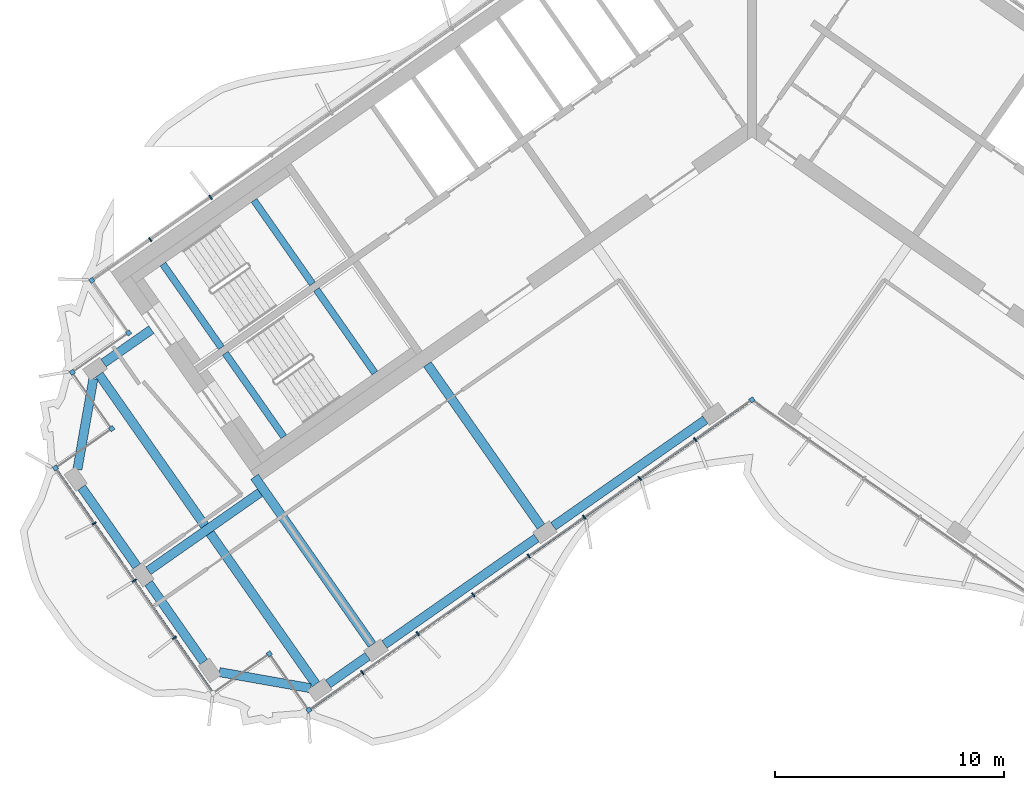
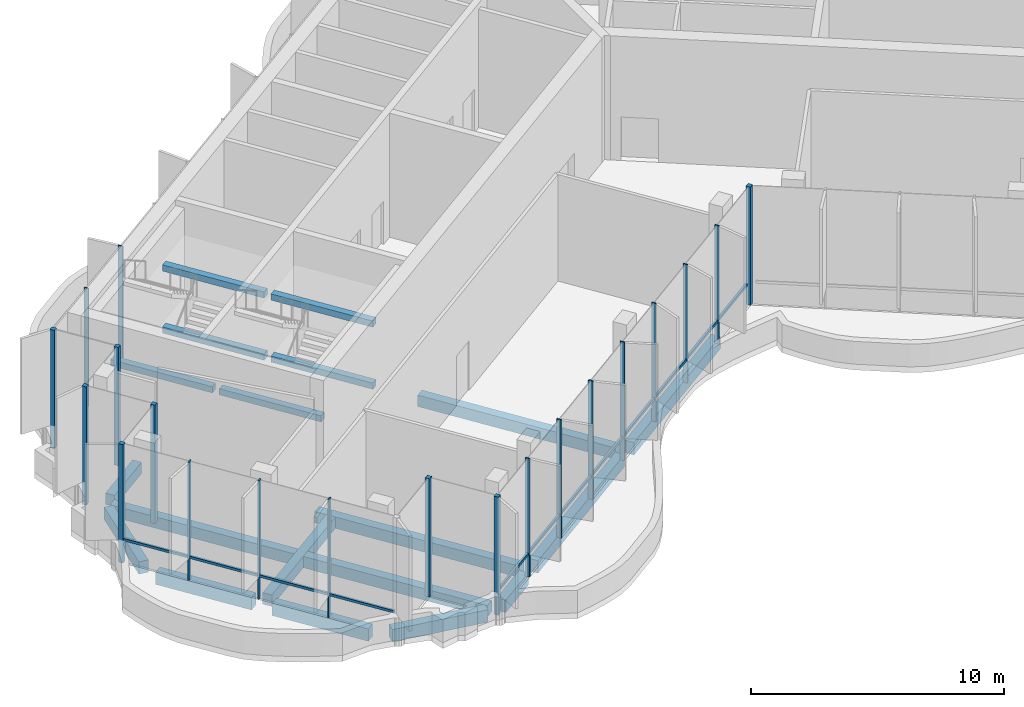
# One storey, part 2 of 18: 22 members, 18 beams, 2 elements without a shape of their own.
"""IFC4 building model written with IfcOpenShell, lengths in metres."""

import ifcopenshell
import ifcopenshell.guid

model = None  # the IFC model being written
_history = None  # IfcOwnerHistory: only IFC2X3 demands one
_inside = {}  # id of a spatial element -> (the spatial element, [elements in it])
_under = {}  # id of a project, library or spatial element -> (it, [spatial elements below it])
_declared = {}  # id of a project -> (the project, [libraries it declares])
_typed = {}  # id of a type object -> (the type object, [elements of that type])
_made_of = {}  # id of a material, layer set ... -> (it, [elements and type objects made of it])


def new_model(schema):
    """Start an empty IFC model of exactly this schema.

    Asked for "IFC4X3", IfcOpenShell would pick the latest addendum, in which some entities
    have other attributes; the version numbers below select the first issue.
    IFC2X3 requires an IfcOwnerHistory on every rooted entity: one is made here for all.
    """
    global model, _history
    if schema == "IFC4X3":
        model = ifcopenshell.file(schema_version=(4, 3, 0, 0))
    else:
        model = ifcopenshell.file(schema=schema)
    _inside.clear()
    _under.clear()
    _declared.clear()
    _typed.clear()
    _made_of.clear()
    _history = None
    if model.schema == "IFC2X3":
        org = make("IfcOrganization", Name="unknown")
        user = make(
            "IfcPersonAndOrganization",
            ThePerson=make("IfcPerson", FamilyName="unknown"),
            TheOrganization=org,
        )
        app = make(
            "IfcApplication",
            ApplicationDeveloper=org,
            Version="unknown",
            ApplicationFullName="unknown",
            ApplicationIdentifier="unknown",
        )
        _history = make(
            "IfcOwnerHistory",
            OwningUser=user,
            OwningApplication=app,
            ChangeAction="ADDED",
            CreationDate=0,
        )
    return model


def make(cls, **values):
    """One entity of the class cls with the attributes given. An attribute that is None is left unset."""
    return model.create_entity(
        cls, **{name: value for name, value in values.items() if value is not None}
    )


def rooted(cls, **values):
    """An entity with a GlobalId (a new one), such as an element, a storey or a relation."""
    return make(cls, GlobalId=ifcopenshell.guid.new(), OwnerHistory=_history, **values)


def si_unit(unit_type, name, prefix=None):
    """IfcSIUnit, for example si_unit("LENGTHUNIT", "METRE", prefix="MILLI")."""
    return make("IfcSIUnit", UnitType=unit_type, Prefix=prefix, Name=name)


def assignment(units):
    """IfcUnitAssignment: the units of a project."""
    return None if units is None else make("IfcUnitAssignment", Units=units)


def point(xyz):
    """IfcCartesianPoint."""
    return None if xyz is None else make("IfcCartesianPoint", Coordinates=xyz)


def direction(xyz):
    """IfcDirection."""
    return None if xyz is None else make("IfcDirection", DirectionRatios=xyz)


def frame(location, z_axis=None, x_axis=None):
    """IfcAxis2Placement3D, a coordinate frame: its origin and axes. An axis left out is left unset."""
    return make(
        "IfcAxis2Placement3D",
        Location=point(location),
        Axis=direction(z_axis),
        RefDirection=direction(x_axis),
    )


def frame_2d(location, x_axis=None):
    """IfcAxis2Placement2D, a coordinate frame in the plane: its origin and x axis."""
    return make(
        "IfcAxis2Placement2D", Location=point(location), RefDirection=direction(x_axis)
    )


def origin():
    """The frame at (0, 0, 0) with its axes left unset."""
    return frame((0.0, 0.0, 0.0))


def origin_2d():
    """The frame at (0, 0) in the plane with its x axis left unset."""
    return frame_2d((0.0, 0.0))


def place(relative_to, where):
    """IfcLocalPlacement: puts the frame where relative to a parent placement (None: the world)."""
    return make(
        "IfcLocalPlacement", PlacementRelTo=relative_to, RelativePlacement=where
    )


def context(
    kind, dimensions, precision=None, world=None, true_north=None, identifier=None
):
    """IfcGeometricRepresentationContext, for example the 3D "Model" context."""
    return make(
        "IfcGeometricRepresentationContext",
        ContextIdentifier=identifier,
        ContextType=kind,
        CoordinateSpaceDimension=dimensions,
        Precision=precision,
        WorldCoordinateSystem=world,
        TrueNorth=true_north,
    )


def subcontext(parent, identifier, kind, view, scale=None):
    """IfcGeometricRepresentationSubContext, for example "Body" below "Model"."""
    return make(
        "IfcGeometricRepresentationSubContext",
        ContextIdentifier=identifier,
        ContextType=kind,
        ParentContext=parent,
        TargetScale=scale,
        TargetView=view,
    )


def project(units=None, contexts=None):
    """IfcProject with its units and contexts."""
    return rooted(
        "IfcProject",
        Name="project",
        RepresentationContexts=contexts,
        UnitsInContext=assignment(units),
    )


def spatial(cls, under=None, at=None, **own):
    """A site, building, storey or space (cls), placed at a placement, below another one or the project."""
    s = rooted(cls, ObjectPlacement=at, **own)
    if under is not None:
        _under.setdefault(under.id(), (under, []))[1].append(s)
    return s


def profile(cls, at=None, kind="AREA", **sizes):
    """A parametric profile (cls). Its sizes go by their IFC names, for example OverallWidth=200.0."""
    return make(cls, ProfileType=kind, Position=at, **sizes)


def rectangle(**sizes):
    """IfcRectangleProfileDef."""
    return profile("IfcRectangleProfileDef", **sizes)


def extrude(swept, where, along, depth):
    """IfcExtrudedAreaSolid: the profile swept, set in the frame where, extruded along a direction by depth."""
    return make(
        "IfcExtrudedAreaSolid",
        SweptArea=swept,
        Position=where,
        ExtrudedDirection=direction(along),
        Depth=depth,
    )


def shape(context_of_items, identifier, shape_type, items):
    """IfcShapeRepresentation: the items that make up one representation, for example the "Body"."""
    return make(
        "IfcShapeRepresentation",
        ContextOfItems=context_of_items,
        RepresentationIdentifier=identifier,
        RepresentationType=shape_type,
        Items=items,
    )


def material(Name=None, Category=None):
    """IfcMaterial."""
    return make("IfcMaterial", Name=Name, Category=Category)


def material_profile(
    of_material, cross_section, Name=None, Category=None, Priority=None
):
    """IfcMaterialProfile: a cross section and its material."""
    return make(
        "IfcMaterialProfile",
        Name=Name,
        Material=of_material,
        Profile=cross_section,
        Priority=Priority,
        Category=Category,
    )


def profile_set(profiles, Name=None, composite=None):
    """IfcMaterialProfileSet."""
    return make(
        "IfcMaterialProfileSet",
        Name=Name,
        MaterialProfiles=profiles,
        CompositeProfile=composite,
    )


def made_of(thing, what):
    """Note that an element or type object is made of a material, layer set ...; save() writes the relation."""
    if what is not None:
        _made_of.setdefault(what.id(), (what, []))[1].append(thing)
    return thing


def type_object(cls, material=None, **own):
    """A type object (cls), such as IfcWallType, which elements share."""
    return made_of(rooted(cls, **own), material)


def element(
    cls,
    number,
    at=None,
    inside=None,
    cuts=None,
    type_object=None,
    material=None,
    context=None,
    identifier="Body",
    shape_type=None,
    held_by="IfcProductDefinitionShape",
    body=None,
    shapes=None,
    **own,
):
    """One element of the class cls, such as IfcWall. Its Tag is "e" and its number.

    at: its placement. inside: the storey or other place that contains it. cuts: it is an
    opening in that element (IfcRelVoidsElement). A single representation is given by context,
    identifier, shape_type and body (its items); several are given by shapes. held_by: the class
    of the entity that holds the representations. save() writes the other relations.
    """
    e = rooted(cls, Tag="e%d" % number, ObjectPlacement=at, **own)
    if body is not None:
        shapes = [shape(context, identifier, shape_type, body)]
    if shapes is not None:
        e.Representation = make(held_by, Representations=shapes)
    if inside is not None:
        _inside.setdefault(inside.id(), (inside, []))[1].append(e)
    if cuts is not None:
        rooted(
            "IfcRelVoidsElement", RelatingBuildingElement=cuts, RelatedOpeningElement=e
        )
    if type_object is not None:
        _typed.setdefault(type_object.id(), (type_object, []))[1].append(e)
    return made_of(e, material)


def aggregate(whole, parts):
    """IfcRelAggregates: a whole, such as a stair, and the parts it consists of."""
    return rooted("IfcRelAggregates", RelatingObject=whole, RelatedObjects=parts)


def save(model, path):
    """Write the relations noted so far, then the file.

    IfcRelAggregates (storeys below a building ...), IfcRelContainedInSpatialStructure (elements
    in a storey), IfcRelDefinesByType, IfcRelAssociatesMaterial and IfcRelDeclares: one each for
    every whole, place, type object, material and project.
    """
    for whole, parts in _under.values():
        aggregate(whole, parts)
    for where, things in _inside.values():
        rooted(
            "IfcRelContainedInSpatialStructure",
            RelatedElements=things,
            RelatingStructure=where,
        )
    for kind, things in _typed.values():
        rooted("IfcRelDefinesByType", RelatedObjects=things, RelatingType=kind)
    for what, things in _made_of.values():
        rooted("IfcRelAssociatesMaterial", RelatedObjects=things, RelatingMaterial=what)
    for by, libraries in _declared.values():
        rooted("IfcRelDeclares", RelatingContext=by, RelatedDefinitions=libraries)
    model.write(path)


model = new_model("IFC4")

# Units and contexts
model_context = context("Model", 3, precision=1e-05, world=origin(), true_north=direction((0.0, 1.0)))
body_context = subcontext(model_context, "Body", "Model", "MODEL_VIEW")
ifc_project = project(units=[si_unit("LENGTHUNIT", "METRE"), si_unit("AREAUNIT", "SQUARE_METRE"), si_unit("VOLUMEUNIT", "CUBIC_METRE"), si_unit("PLANEANGLEUNIT", "RADIAN"), si_unit("MASSUNIT", "GRAM", prefix="KILO")], contexts=[model_context])

# Site, building, storey
site_placement = place(None, origin())
site = spatial("IfcSite", under=ifc_project, at=site_placement, CompositionType="ELEMENT")
building_placement = place(site_placement, origin())
building = spatial("IfcBuilding", under=site, at=building_placement, Name="Tel Ilan Convention Tower", CompositionType="ELEMENT")
storey_placement = place(building_placement, frame((0.0, 0.0, 307.300048828125)))
storey = spatial("IfcBuildingStorey", under=building, at=storey_placement, Name="L73", CompositionType="ELEMENT", Elevation=307.300048828125)

# Beams
ifc_material_1 = material(Name="Concrete C40/50", Category="concrete")
ifc_material_profile_1 = material_profile(ifc_material_1, rectangle(XDim=0.39990234375, YDim=0.550048828125, at=origin_2d()), Name="RC 400x550")
ifc_profile_set_1 = profile_set([ifc_material_profile_1], Name="Concrete C40/50")
beam_type_1 = type_object("IfcBeamType", Name="Beam RC 400x550 Concrete C40/50", PredefinedType="BEAM", material=ifc_profile_set_1)
beam_1_placement = place(storey_placement, frame((-28.306884765625, -11.09228515625, -0.554931640625), z_axis=(0.819119449707, 0.573622983424, 0.0), x_axis=(-0.573622983424, 0.819119449707, 0.0)))
element("IfcBeam", 1, at=beam_1_placement, inside=storey, type_object=beam_type_1, Name="L73 beam W-W-BC-core", PredefinedType="BEAM", context=body_context, shape_type="SweptSolid", body=[
    extrude(rectangle(XDim=0.39990234375, YDim=0.550048828125, at=origin_2d()), origin(), (0.0, 0.0, 1.0), 2.5498046875),
])
beam_2_placement = place(storey_placement, frame((-9.209716796875, -18.229248046875, -0.554931640625), z_axis=(-0.573574099654, 0.819153680457, 0.0), x_axis=(-0.819153680457, -0.573574099654, 0.0)))
element("IfcBeam", 2, at=beam_2_placement, inside=storey, type_object=beam_type_1, Name="L73 beam W-W-F2-core", PredefinedType="BEAM", context=body_context, shape_type="SweptSolid", body=[
    extrude(rectangle(XDim=0.39990234375, YDim=0.550048828125, at=origin_2d()), origin(), (0.0, 0.0, 1.0), 8.64990234375),
])
beam_3_placement = place(storey_placement, frame((-16.58203125, -23.391357421875, -0.554931640625), z_axis=(-0.573584999642, 0.819146048141, 0.0), x_axis=(-0.819146048141, -0.573584999642, 0.0)))
element("IfcBeam", 3, at=beam_3_placement, inside=storey, type_object=beam_type_1, Name="L73 beam W-W-F3-core", PredefinedType="BEAM", context=body_context, shape_type="SweptSolid", body=[
    extrude(rectangle(XDim=0.39990234375, YDim=0.550048828125, at=origin_2d()), origin(), (0.0, 0.0, 1.0), 8.949951171875),
])
beam_4_placement = place(storey_placement, frame((-21.477783203125, -16.748046875, -0.554931640625), z_axis=(-0.819150951061, -0.57357799764, 0.0), x_axis=(0.57357799764, -0.819150951061, 0.0)))
element("IfcBeam", 4, at=beam_4_placement, inside=storey, type_object=beam_type_1, Name="L73 beam W-core-end", PredefinedType="BEAM", context=body_context, shape_type="SweptSolid", body=[
    extrude(rectangle(XDim=0.39990234375, YDim=0.550048828125, at=origin_2d()), origin(), (0.0, 0.0, 1.0), 5.9501953125),
])
beam_5_placement = place(storey_placement, frame((-19.03955078125, -25.112060546875, -0.554931640625), z_axis=(-0.573584483202, 0.819146409765, 0.0), x_axis=(-0.819146409765, -0.573584483202, 0.0)))
element("IfcBeam", 5, at=beam_5_placement, inside=storey, type_object=beam_type_1, Name="L73 beam W-W-FC-W-BC", PredefinedType="BEAM", context=body_context, shape_type="SweptSolid", body=[
    extrude(rectangle(XDim=0.39990234375, YDim=0.550048828125, at=origin_2d()), origin(), (0.0, 0.0, 1.0), 16.5),
])
ifc_material_2 = material(Name="Concrete C40/50", Category="concrete")
ifc_material_profile_2 = material_profile(ifc_material_2, rectangle(XDim=0.39990234375, YDim=0.60009765625, at=origin_2d()), Name="RC 400x600")
ifc_profile_set_2 = profile_set([ifc_material_profile_2], Name="Concrete C40/50")
beam_type_2 = type_object("IfcBeamType", Name="Beam RC 400x600 Concrete C40/50", PredefinedType="BEAM", material=ifc_profile_set_2)
beam_6_placement = place(storey_placement, frame((-2.033935546875, -13.57080078125, -0.580078125), z_axis=(-0.81914553362, -0.573585734437, 0.0), x_axis=(0.573585734437, -0.81914553362, 0.0)))
element("IfcBeam", 6, at=beam_6_placement, inside=storey, type_object=beam_type_2, Name="L73 beam W-W-F1-W-F2", PredefinedType="BEAM", context=body_context, shape_type="SweptSolid", body=[
    extrude(rectangle(XDim=0.39990234375, YDim=0.60009765625, at=origin_2d()), origin(), (0.0, 0.0, 1.0), 8.099853515625),
])
beam_7_placement = place(storey_placement, frame((-9.40625, -18.73291015625, -0.580078125), z_axis=(-0.819155449703, -0.573571572885, 0.0), x_axis=(0.573571572885, -0.819155449703, 0.0)))
element("IfcBeam", 7, at=beam_7_placement, inside=storey, type_object=beam_type_2, Name="L73 beam W-W-F2-W-F3", PredefinedType="BEAM", context=body_context, shape_type="SweptSolid", body=[
    extrude(rectangle(XDim=0.39990234375, YDim=0.60009765625, at=origin_2d()), origin(), (0.0, 0.0, 1.0), 8.10009765625),
])
beam_8_placement = place(storey_placement, frame((-16.778564453125, -23.895263671875, -0.580078125), z_axis=(-0.819188222026, -0.573524765719, 0.0), x_axis=(0.573524765719, -0.819188222026, 0.0)))
element("IfcBeam", 8, at=beam_8_placement, inside=storey, type_object=beam_type_2, Name="L73 beam W-W-F3-W-FC", PredefinedType="BEAM", context=body_context, shape_type="SweptSolid", body=[
    extrude(rectangle(XDim=0.39990234375, YDim=0.60009765625, at=origin_2d()), origin(), (0.0, 0.0, 1.0), 2.099853515625),
])
beam_9_placement = place(storey_placement, frame((-19.285400390625, -25.2841796875, -0.580078125), z_axis=(-0.984804894423, 0.173664388751, 0.0), x_axis=(-0.173664388751, -0.984804894423, 0.0)))
element("IfcBeam", 9, at=beam_9_placement, inside=storey, type_object=beam_type_2, Name="L73 beam W-W-FC-W-E1", PredefinedType="BEAM", context=body_context, shape_type="SweptSolid", body=[
    extrude(rectangle(XDim=0.39990234375, YDim=0.60009765625, at=origin_2d()), origin(), (0.0, 0.0, 1.0), 4.030517578125),
])
for number, where, z_axis, x_axis, name in (
    (10, (-23.930419921875, -24.14208984375, -0.580078125), (-0.573602778367, 0.819133598779, 0.0), (-0.819133598779, -0.573602778367, 0.0), "L73 beam W-W-E1-W-E2"),
    (11, (-26.855712890625, -19.96435546875, -0.580078125), (-0.573602778367, 0.819133598779, 0.0), (-0.819133598779, -0.573602778367, 0.0), "L73 beam W-W-E2-W-E3"),
):
    element("IfcBeam", number, at=place(storey_placement, frame(where, z_axis=z_axis, x_axis=x_axis)), inside=storey, type_object=beam_type_2, Name=name, PredefinedType="BEAM", context=body_context, shape_type="SweptSolid", body=[
        extrude(rectangle(XDim=0.39990234375, YDim=0.60009765625, at=origin_2d()), origin(), (0.0, 0.0, 1.0), 4.2001953125),
    ])
beam_10_placement = place(storey_placement, frame((-29.44921875, -15.737548828125, -0.580078125), z_axis=(0.173664388751, 0.984804894423, 0.0), x_axis=(-0.984804894423, 0.173664388751, 0.0)))
element("IfcBeam", 12, at=beam_10_placement, inside=storey, type_object=beam_type_2, Name="L73 beam W-W-E3-W-BC", PredefinedType="BEAM", context=body_context, shape_type="SweptSolid", body=[
    extrude(rectangle(XDim=0.39990234375, YDim=0.60009765625, at=origin_2d()), origin(), (0.0, 0.0, 1.0), 4.030517578125),
])

# Curtain wall, members
ifc_material_3 = material(Name="Aluminium, bronze anodised", Category="aluminium")
curtain_wall_type_1 = type_object("IfcCurtainWallType", Name="CW2 STICK CURTAIN WALL, SPANDREL PANELS", PredefinedType="NOTDEFINED", material=ifc_material_3)
curtain_wall_1_placement = place(storey_placement, origin())
curtain_wall_1 = element("IfcCurtainWall", 13, at=curtain_wall_1_placement, inside=storey, type_object=curtain_wall_type_1, Name="Curtain wall CW2-55.01", PredefinedType="NOTDEFINED")
ifc_material_4 = material(Name="Aluminium, bronze anodised", Category="aluminium")
ifc_material_profile_3 = material_profile(ifc_material_4, rectangle(XDim=0.199951171875, YDim=0.199951171875, at=origin_2d()), Name="CW CORNER MULLION 200x200")
ifc_profile_set_3 = profile_set([ifc_material_profile_3], Name="Aluminium, bronze anodised")
member_type_1 = type_object("IfcMemberType", Name="CW CORNER MULLION 200x200", PredefinedType="MULLION", material=ifc_profile_set_3)
member_1_placement = place(storey_placement, frame((-28.819580078125, -7.483642578125, 0.0), z_axis=(0.0, 0.0, 1.0), x_axis=(-0.819152044289, -0.573576436351, 0.0)))
member_1 = element("IfcMember", 14, at=member_1_placement, type_object=member_type_1, Name="Corner mullion", PredefinedType="MULLION", context=body_context, shape_type="SweptSolid", body=[
    extrude(rectangle(XDim=0.199951171875, YDim=0.199951171875, at=origin_2d()), origin(), (0.0, 0.0, 1.0), 5.719970703125),
])
member_2_placement = place(storey_placement, frame((-27.213623046875, -9.77734375, 0.0), z_axis=(0.0, 0.0, 1.0), x_axis=(0.573576436351, -0.819152044289, 0.0)))
member_2 = element("IfcMember", 15, at=member_2_placement, type_object=member_type_1, Name="Corner mullion", PredefinedType="MULLION", context=body_context, shape_type="SweptSolid", body=[
    extrude(rectangle(XDim=0.199951171875, YDim=0.199951171875, at=origin_2d()), origin(), (0.0, 0.0, 1.0), 5.719970703125),
])

ifc_material_5 = material(Name="Aluminium, bronze anodised", Category="aluminium")
curtain_wall_type_2 = type_object("IfcCurtainWallType", Name="CW5 STICK CURTAIN WALL, UPPER OFFICE LOW-IRON TINTED GLASS", PredefinedType="NOTDEFINED", material=ifc_material_5)
curtain_wall_2_placement = place(storey_placement, origin())
curtain_wall_2 = element("IfcCurtainWall", 16, at=curtain_wall_2_placement, inside=storey, type_object=curtain_wall_type_2, Name="Curtain wall CW5-55.02", PredefinedType="NOTDEFINED")
member_3_placement = place(storey_placement, frame((-29.6708984375, -11.498046875, 0.0), z_axis=(0.0, 0.0, 1.0), x_axis=(-0.819152044289, -0.573576436351, 0.0)))
member_3 = element("IfcMember", 17, at=member_3_placement, type_object=member_type_1, Name="Corner mullion", PredefinedType="MULLION", context=body_context, shape_type="SweptSolid", body=[
    extrude(rectangle(XDim=0.199951171875, YDim=0.199951171875, at=origin_2d()), origin(), (0.0, 0.0, 1.0), 5.719970703125),
])
member_4_placement = place(storey_placement, frame((-27.9501953125, -13.955322265625, 0.0), z_axis=(0.0, 0.0, 1.0), x_axis=(0.573576436351, -0.819152044289, 0.0)))
member_4 = element("IfcMember", 18, at=member_4_placement, type_object=member_type_1, Name="Corner mullion", PredefinedType="MULLION", context=body_context, shape_type="SweptSolid", body=[
    extrude(rectangle(XDim=0.199951171875, YDim=0.199951171875, at=origin_2d()), origin(), (0.0, 0.0, 1.0), 5.719970703125),
])
member_5_placement = place(storey_placement, frame((-30.40771484375, -15.676025390625, 0.0), z_axis=(0.0, 0.0, 1.0), x_axis=(-0.819152044289, -0.573576436351, 0.0)))
member_5 = element("IfcMember", 19, at=member_5_placement, type_object=member_type_1, Name="Corner mullion", PredefinedType="MULLION", context=body_context, shape_type="SweptSolid", body=[
    extrude(rectangle(XDim=0.199951171875, YDim=0.199951171875, at=origin_2d()), origin(), (0.0, 0.0, 1.0), 5.719970703125),
])
member_6_placement = place(storey_placement, frame((-21.0673828125, -23.78515625, 0.0), z_axis=(0.0, 0.0, 1.0), x_axis=(0.819152044289, 0.573576436351, 0.0)))
member_6 = element("IfcMember", 20, at=member_6_placement, type_object=member_type_1, Name="Corner mullion", PredefinedType="MULLION", context=body_context, shape_type="SweptSolid", body=[
    extrude(rectangle(XDim=0.199951171875, YDim=0.199951171875, at=origin_2d()), origin(), (0.0, 0.0, 1.0), 5.719970703125),
])
member_7_placement = place(storey_placement, frame((-19.3466796875, -26.24267578125, 0.0), z_axis=(0.0, 0.0, 1.0), x_axis=(0.573576436351, -0.819152044289, 0.0)))
member_7 = element("IfcMember", 21, at=member_7_placement, type_object=member_type_1, Name="Corner mullion", PredefinedType="MULLION", context=body_context, shape_type="SweptSolid", body=[
    extrude(rectangle(XDim=0.199951171875, YDim=0.199951171875, at=origin_2d()), origin(), (0.0, 0.0, 1.0), 5.719970703125),
])
member_8_placement = place(storey_placement, frame((0.0, -12.696044921875, 0.0), z_axis=(0.0, 0.0, 1.0), x_axis=(0.819152044289, 0.573576436351, 0.0)))
member_8 = element("IfcMember", 22, at=member_8_placement, type_object=member_type_1, Name="Corner mullion", PredefinedType="MULLION", context=body_context, shape_type="SweptSolid", body=[
    extrude(rectangle(XDim=0.199951171875, YDim=0.199951171875, at=origin_2d()), origin(), (0.0, 0.0, 1.0), 5.719970703125),
])

# Member
ifc_material_6 = material(Name="Aluminium, bronze anodised", Category="aluminium")
ifc_material_profile_4 = material_profile(ifc_material_6, rectangle(XDim=0.06005859375, YDim=0.199951171875, at=origin_2d()), Name="CW MULLION 60x200")
ifc_profile_set_4 = profile_set([ifc_material_profile_4], Name="Aluminium, bronze anodised")
member_type_2 = type_object("IfcMemberType", Name="CW MULLION 60x200", PredefinedType="MULLION", material=ifc_profile_set_4)
member_9_placement = place(storey_placement, frame((-23.63623046875, -3.854248046875, 0.0), z_axis=(0.0, 0.0, 1.0), x_axis=(-0.819152044289, -0.573576436351, 0.0)))
member_9 = element("IfcMember", 23, at=member_9_placement, type_object=member_type_2, Name="Mullion", PredefinedType="MULLION", context=body_context, shape_type="SweptSolid", body=[
    extrude(rectangle(XDim=0.06005859375, YDim=0.199951171875, at=origin_2d()), origin(), (0.0, 0.0, 1.0), 5.719970703125),
])

member_10_placement = place(storey_placement, frame((-26.268798828125, -5.697509765625, 0.0), z_axis=(0.0, 0.0, 1.0), x_axis=(-0.819152044289, -0.573576436351, 0.0)))
member_10 = element("IfcMember", 24, at=member_10_placement, type_object=member_type_2, Name="Mullion", PredefinedType="MULLION", context=body_context, shape_type="SweptSolid", body=[
    extrude(rectangle(XDim=0.06005859375, YDim=0.199951171875, at=origin_2d()), origin(), (0.0, 0.0, 1.0), 5.719970703125),
])

aggregate(curtain_wall_1, [member_9, member_10, member_1, member_2])

member_11_placement = place(storey_placement, frame((-28.715576171875, -18.092529296875, 0.0), z_axis=(0.0, 0.0, 1.0), x_axis=(0.573576436351, -0.819152044289, 0.0)))
member_11 = element("IfcMember", 25, at=member_11_placement, type_object=member_type_2, Name="Mullion", PredefinedType="MULLION", context=body_context, shape_type="SweptSolid", body=[
    extrude(rectangle(XDim=0.06005859375, YDim=0.199951171875, at=origin_2d()), origin(), (0.0, 0.0, 1.0), 5.719970703125),
])

member_12_placement = place(storey_placement, frame((-26.96630859375, -20.591064453125, 0.0), z_axis=(0.0, 0.0, 1.0), x_axis=(0.573576436351, -0.819152044289, 0.0)))
member_12 = element("IfcMember", 26, at=member_12_placement, type_object=member_type_2, Name="Mullion", PredefinedType="MULLION", context=body_context, shape_type="SweptSolid", body=[
    extrude(rectangle(XDim=0.06005859375, YDim=0.199951171875, at=origin_2d()), origin(), (0.0, 0.0, 1.0), 5.719970703125),
])

member_13_placement = place(storey_placement, frame((-25.216796875, -23.08935546875, 0.0), z_axis=(0.0, 0.0, 1.0), x_axis=(0.573576436351, -0.819152044289, 0.0)))
member_13 = element("IfcMember", 27, at=member_13_placement, type_object=member_type_2, Name="Mullion", PredefinedType="MULLION", context=body_context, shape_type="SweptSolid", body=[
    extrude(rectangle(XDim=0.06005859375, YDim=0.199951171875, at=origin_2d()), origin(), (0.0, 0.0, 1.0), 5.719970703125),
])

member_14_placement = place(storey_placement, frame((-17.007080078125, -24.6044921875, 0.0), z_axis=(0.0, 0.0, 1.0), x_axis=(0.819152044289, 0.573576436351, 0.0)))
member_14 = element("IfcMember", 28, at=member_14_placement, type_object=member_type_2, Name="Mullion", PredefinedType="MULLION", context=body_context, shape_type="SweptSolid", body=[
    extrude(rectangle(XDim=0.06005859375, YDim=0.199951171875, at=origin_2d()), origin(), (0.0, 0.0, 1.0), 5.719970703125),
])

member_15_placement = place(storey_placement, frame((-14.585693359375, -22.9091796875, 0.0), z_axis=(0.0, 0.0, 1.0), x_axis=(0.819152044289, 0.573576436351, 0.0)))
member_15 = element("IfcMember", 29, at=member_15_placement, type_object=member_type_2, Name="Mullion", PredefinedType="MULLION", context=body_context, shape_type="SweptSolid", body=[
    extrude(rectangle(XDim=0.06005859375, YDim=0.199951171875, at=origin_2d()), origin(), (0.0, 0.0, 1.0), 5.719970703125),
])

member_16_placement = place(storey_placement, frame((-12.164306640625, -21.213623046875, 0.0), z_axis=(0.0, 0.0, 1.0), x_axis=(0.819152044289, 0.573576436351, 0.0)))
member_16 = element("IfcMember", 30, at=member_16_placement, type_object=member_type_2, Name="Mullion", PredefinedType="MULLION", context=body_context, shape_type="SweptSolid", body=[
    extrude(rectangle(XDim=0.06005859375, YDim=0.199951171875, at=origin_2d()), origin(), (0.0, 0.0, 1.0), 5.719970703125),
])

member_17_placement = place(storey_placement, frame((-9.742919921875, -19.51806640625, 0.0), z_axis=(0.0, 0.0, 1.0), x_axis=(0.819152044289, 0.573576436351, 0.0)))
member_17 = element("IfcMember", 31, at=member_17_placement, type_object=member_type_2, Name="Mullion", PredefinedType="MULLION", context=body_context, shape_type="SweptSolid", body=[
    extrude(rectangle(XDim=0.06005859375, YDim=0.199951171875, at=origin_2d()), origin(), (0.0, 0.0, 1.0), 5.719970703125),
])

member_18_placement = place(storey_placement, frame((-7.321533203125, -17.82275390625, 0.0), z_axis=(0.0, 0.0, 1.0), x_axis=(0.819152044289, 0.573576436351, 0.0)))
member_18 = element("IfcMember", 32, at=member_18_placement, type_object=member_type_2, Name="Mullion", PredefinedType="MULLION", context=body_context, shape_type="SweptSolid", body=[
    extrude(rectangle(XDim=0.06005859375, YDim=0.199951171875, at=origin_2d()), origin(), (0.0, 0.0, 1.0), 5.719970703125),
])

member_19_placement = place(storey_placement, frame((-4.900146484375, -16.127197265625, 0.0), z_axis=(0.0, 0.0, 1.0), x_axis=(0.819152044289, 0.573576436351, 0.0)))
member_19 = element("IfcMember", 33, at=member_19_placement, type_object=member_type_2, Name="Mullion", PredefinedType="MULLION", context=body_context, shape_type="SweptSolid", body=[
    extrude(rectangle(XDim=0.06005859375, YDim=0.199951171875, at=origin_2d()), origin(), (0.0, 0.0, 1.0), 5.719970703125),
])

member_20_placement = place(storey_placement, frame((-2.478759765625, -14.431640625, 0.0), z_axis=(0.0, 0.0, 1.0), x_axis=(0.819152044289, 0.573576436351, 0.0)))
member_20 = element("IfcMember", 34, at=member_20_placement, type_object=member_type_2, Name="Mullion", PredefinedType="MULLION", context=body_context, shape_type="SweptSolid", body=[
    extrude(rectangle(XDim=0.06005859375, YDim=0.199951171875, at=origin_2d()), origin(), (0.0, 0.0, 1.0), 5.719970703125),
])

ifc_material_7 = material(Name="Aluminium, bronze anodised", Category="aluminium")
ifc_material_profile_5 = material_profile(ifc_material_7, rectangle(XDim=0.10009765625, YDim=0.1201171875, at=origin_2d()), Name="CW TRANSOM 100x120")
ifc_profile_set_5 = profile_set([ifc_material_profile_5], Name="Aluminium, bronze anodised")
member_type_3 = type_object("IfcMemberType", Name="CW TRANSOM 100x120", PredefinedType="USERDEFINED", material=ifc_profile_set_5)
member_21_placement = place(storey_placement, frame((-30.350341796875, -15.758056640625, 1.099853515625), z_axis=(0.573581755582, -0.819148319698, 0.0), x_axis=(0.819148319698, 0.573581755582, 0.0)))
member_21 = element("IfcMember", 35, at=member_21_placement, type_object=member_type_3, Name="Transom", ObjectType="TRANSOM", PredefinedType="USERDEFINED", context=body_context, shape_type="SweptSolid", body=[
    extrude(rectangle(XDim=0.10009765625, YDim=0.1201171875, at=origin_2d()), origin(), (0.0, 0.0, 1.0), 11.800048828125),
])

member_22_placement = place(storey_placement, frame((-19.2646484375, -26.185302734375, 1.099853515625), z_axis=(0.81915001336, 0.573579336808, 0.0), x_axis=(-0.573579336808, 0.81915001336, 0.0)))
member_22 = element("IfcMember", 36, at=member_22_placement, type_object=member_type_3, Name="Transom", ObjectType="TRANSOM", PredefinedType="USERDEFINED", context=body_context, shape_type="SweptSolid", body=[
    extrude(rectangle(XDim=0.10009765625, YDim=0.1201171875, at=origin_2d()), origin(), (0.0, 0.0, 1.0), 23.247802734375),
])

aggregate(curtain_wall_2, [member_3, member_4, member_5, member_11, member_12, member_13, member_21, member_6, member_7, member_14, member_15, member_16, member_17, member_18, member_19, member_20, member_8, member_22])

# Beams
ifc_material_8 = material(Name="Concrete C40/50", Category="concrete")
ifc_material_profile_6 = material_profile(ifc_material_8, rectangle(XDim=0.300048828125, YDim=0.300048828125, at=origin_2d()), Name="RC 300x300")
ifc_profile_set_6 = profile_set([ifc_material_profile_6], Name="Concrete C40/50")
beam_type_3 = type_object("IfcBeamType", Name="Landing Beam RC 300x300 Concrete C40/50", PredefinedType="BEAM", material=ifc_profile_set_6)
beam_11_placement = place(storey_placement, frame((-19.185791015625, -7.63525390625, 1.14990234375), z_axis=(-0.573547030514, 0.819172633691, 0.0), x_axis=(-0.819172633691, -0.573547030514, 0.0)))
element("IfcBeam", 37, at=beam_11_placement, inside=storey, type_object=beam_type_3, Name="S1 landing beam L73.1", PredefinedType="BEAM", context=body_context, shape_type="SweptSolid", body=[
    extrude(rectangle(XDim=0.300048828125, YDim=0.300048828125, at=origin_2d()), origin(), (0.0, 0.0, 1.0), 4.449951171875),
])
beam_12_placement = place(storey_placement, frame((-23.162109375, -10.41943359375, 2.64990234375), z_axis=(-0.573572808308, 0.81915458466, 0.0), x_axis=(-0.81915458466, -0.573572808308, 0.0)))
element("IfcBeam", 38, at=beam_12_placement, inside=storey, type_object=beam_type_3, Name="S1 landing beam L73.2", PredefinedType="BEAM", context=body_context, shape_type="SweptSolid", body=[
    extrude(rectangle(XDim=0.300048828125, YDim=0.300048828125, at=origin_2d()), origin(), (0.0, 0.0, 1.0), 4.44970703125),
])
for number, where, z_axis, x_axis, name in (
    (39, (-19.185791015625, -7.63525390625, 4.14990234375), (-0.573547030514, 0.819172633691, 0.0), (-0.819172633691, -0.573547030514, 0.0), "S1 landing beam L73.3"),
    (40, (-16.461181640625, -11.526123046875, 1.14990234375), (-0.573609622671, 0.819128805976, 0.0), (-0.819128805976, -0.573609622671, 0.0), "S2 landing beam L73.1"),
):
    element("IfcBeam", number, at=place(storey_placement, frame(where, z_axis=z_axis, x_axis=x_axis)), inside=storey, type_object=beam_type_3, Name=name, PredefinedType="BEAM", context=body_context, shape_type="SweptSolid", body=[
        extrude(rectangle(XDim=0.300048828125, YDim=0.300048828125, at=origin_2d()), origin(), (0.0, 0.0, 1.0), 4.449951171875),
    ])
beam_13_placement = place(storey_placement, frame((-20.4375, -14.310546875, 2.64990234375), z_axis=(-0.573583844845, 0.819146856756, 0.0), x_axis=(-0.819146856756, -0.573583844845, 0.0)))
element("IfcBeam", 41, at=beam_13_placement, inside=storey, type_object=beam_type_3, Name="S2 landing beam L73.2", PredefinedType="BEAM", context=body_context, shape_type="SweptSolid", body=[
    extrude(rectangle(XDim=0.300048828125, YDim=0.300048828125, at=origin_2d()), origin(), (0.0, 0.0, 1.0), 4.4501953125),
])
beam_14_placement = place(storey_placement, frame((-16.461181640625, -11.526123046875, 4.14990234375), z_axis=(-0.573609622671, 0.819128805976, 0.0), x_axis=(-0.819128805976, -0.573609622671, 0.0)))
element("IfcBeam", 42, at=beam_14_placement, inside=storey, type_object=beam_type_3, Name="S2 landing beam L73.3", PredefinedType="BEAM", context=body_context, shape_type="SweptSolid", body=[
    extrude(rectangle(XDim=0.300048828125, YDim=0.300048828125, at=origin_2d()), origin(), (0.0, 0.0, 1.0), 4.449951171875),
])

save(model, "model.ifc")
